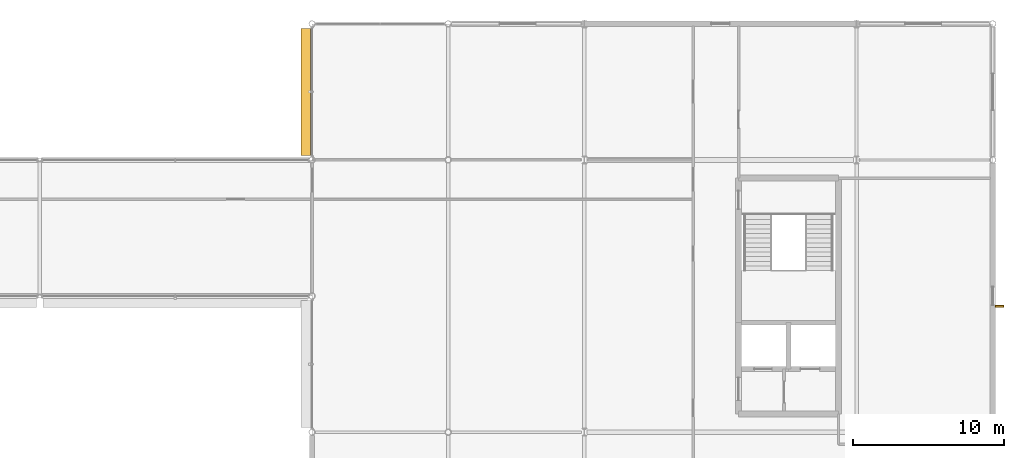
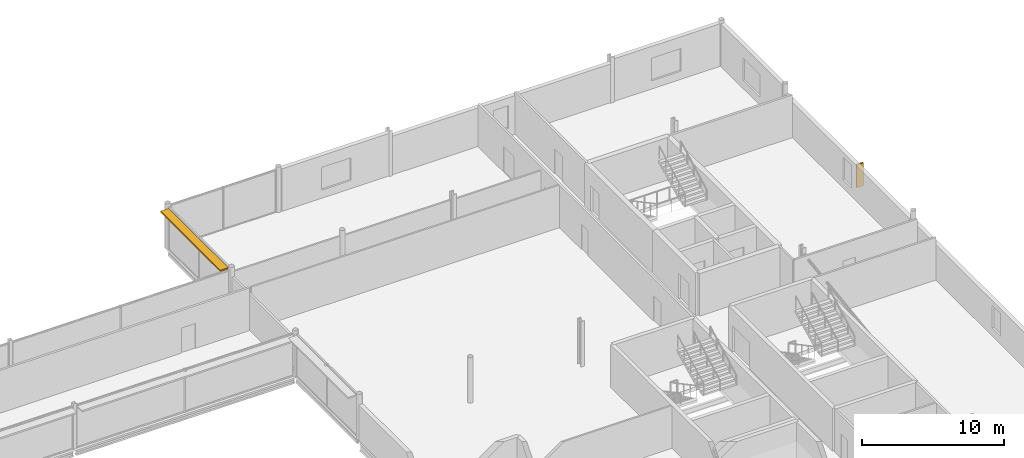
# One storey, part 95 of 96: 2 shading devices.
"""IFC4 building model written with IfcOpenShell, lengths in metres."""

from ifc_helpers import new_model, si_unit, direction, frame, origin, origin_2d, place, context, subcontext, project, spatial, rectangle, extrude, material, type_object, element, save


model = new_model("IFC4")

# Units and contexts
model_context = context("Model", 3, precision=1e-05, world=origin(), true_north=direction((0.0, 1.0)))
body_context = subcontext(model_context, "Body", "Model", "MODEL_VIEW")
ifc_project = project(units=[si_unit("LENGTHUNIT", "METRE"), si_unit("AREAUNIT", "SQUARE_METRE"), si_unit("VOLUMEUNIT", "CUBIC_METRE"), si_unit("PLANEANGLEUNIT", "RADIAN"), si_unit("MASSUNIT", "GRAM", prefix="KILO")], contexts=[model_context])

# Site, building, storey
site_placement = place(None, origin())
site = spatial("IfcSite", under=ifc_project, at=site_placement, CompositionType="ELEMENT")
building_placement = place(site_placement, origin())
building = spatial("IfcBuilding", under=site, at=building_placement, Name="Kisiwana Market Hall", CompositionType="ELEMENT")
storey_placement = place(building_placement, frame((0.0, 0.0, 25.5)))
storey = spatial("IfcBuildingStorey", under=building, at=storey_placement, Name="L05", CompositionType="ELEMENT", Elevation=25.5)

# Shading devices
ifc_material_1 = material(Name="Aluminium alloy 6063-T6", Category="aluminium")
shading_device_type_1 = type_object("IfcShadingDeviceType", Name="SHD-JALOUSIE-H", PredefinedType="JALOUSIE", material=ifc_material_1)
shading_device_1_placement = place(storey_placement, frame((152.580078125, 106.5, 3.474853515625), z_axis=(0.0, 0.0, 1.0), x_axis=(0.0, 1.0, 0.0)))
element("IfcShadingDevice", 1, at=shading_device_1_placement, inside=storey, type_object=shading_device_type_1, Name="Aluminium brise-soleil louvre SHD-123 SD-123", PredefinedType="JALOUSIE", context=body_context, shape_type="SweptSolid", body=[
    extrude(rectangle(XDim=8.3935546875, YDim=0.64990234375, at=origin_2d()), origin(), (0.0, 0.0, 1.0), 0.1201171875),
])
ifc_material_2 = material(Name="Aluminium alloy 6063-T6", Category="aluminium")
shading_device_type_2 = type_object("IfcShadingDeviceType", Name="SHD-SHUTTER-V", PredefinedType="SHUTTER", material=ifc_material_2)
shading_device_2_placement = place(storey_placement, frame((198.445068359375, 92.320068359375, 0.7001953125), z_axis=(0.0, 0.0, 1.0), x_axis=(0.0, 1.0, 0.0)))
element("IfcShadingDevice", 2, at=shading_device_2_placement, inside=storey, type_object=shading_device_type_2, Name="Vertical solar fin SHD-126 SD-126", PredefinedType="SHUTTER", context=body_context, shape_type="SweptSolid", body=[
    extrude(rectangle(XDim=0.1201171875, YDim=0.550048828125, at=origin_2d()), origin(), (0.0, 0.0, 1.0), 1.949951171875),
])

save(model, "model.ifc")
